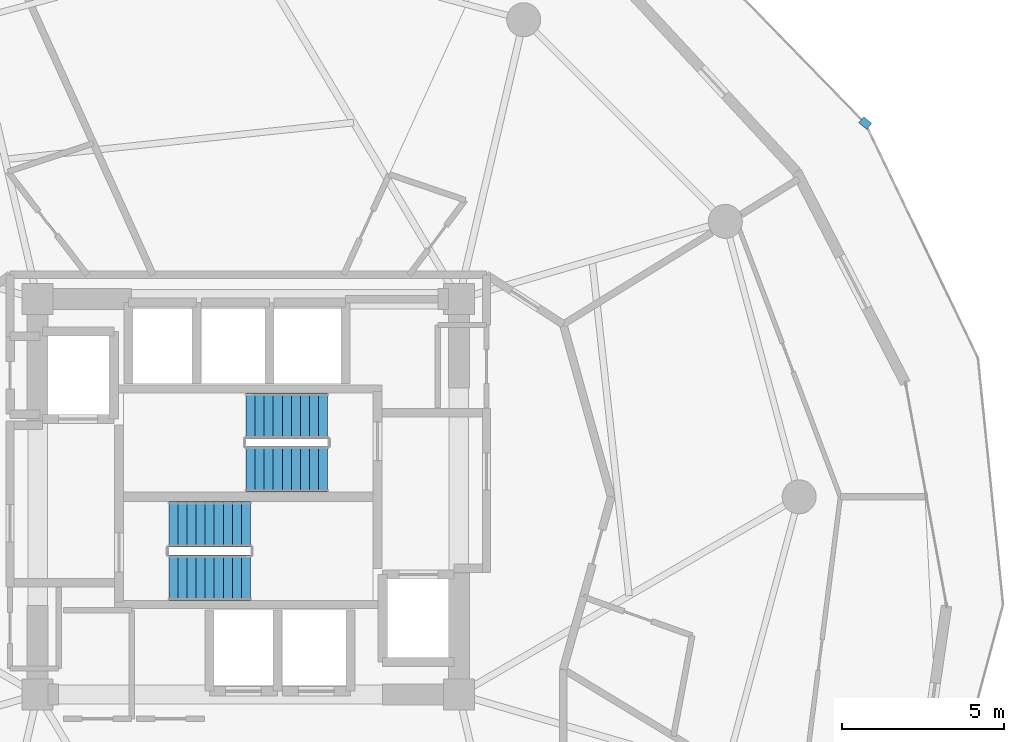
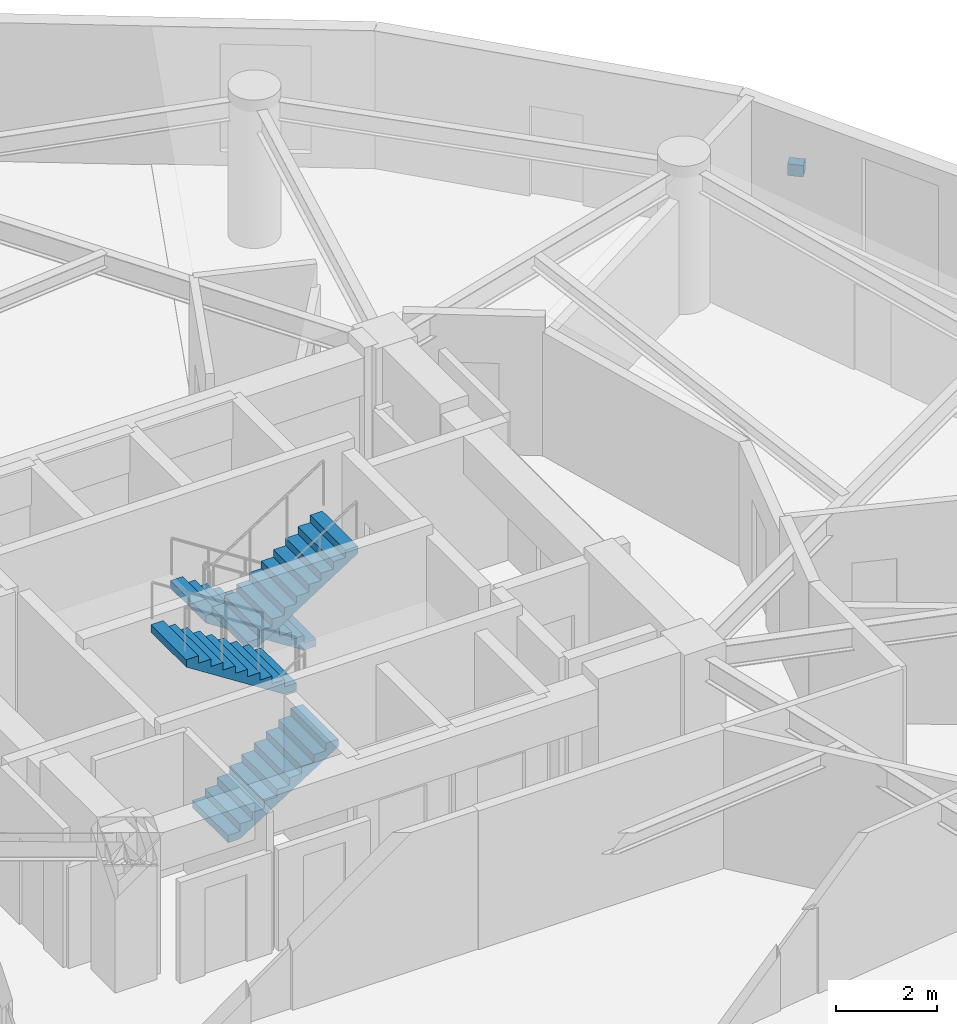
# One storey, part 19 of 21: 4 stair flights, 1 discrete accessory, 2 elements without a shape of their own.
"""IFC4 building model written with IfcOpenShell, lengths in metres."""

import ifcopenshell
import ifcopenshell.guid

model = None  # the IFC model being written
_history = None  # IfcOwnerHistory: only IFC2X3 demands one
_inside = {}  # id of a spatial element -> (the spatial element, [elements in it])
_under = {}  # id of a project, library or spatial element -> (it, [spatial elements below it])
_declared = {}  # id of a project -> (the project, [libraries it declares])
_typed = {}  # id of a type object -> (the type object, [elements of that type])
_made_of = {}  # id of a material, layer set ... -> (it, [elements and type objects made of it])


def new_model(schema):
    """Start an empty IFC model of exactly this schema.

    Asked for "IFC4X3", IfcOpenShell would pick the latest addendum, in which some entities
    have other attributes; the version numbers below select the first issue.
    IFC2X3 requires an IfcOwnerHistory on every rooted entity: one is made here for all.
    """
    global model, _history
    if schema == "IFC4X3":
        model = ifcopenshell.file(schema_version=(4, 3, 0, 0))
    else:
        model = ifcopenshell.file(schema=schema)
    _inside.clear()
    _under.clear()
    _declared.clear()
    _typed.clear()
    _made_of.clear()
    _history = None
    if model.schema == "IFC2X3":
        org = make("IfcOrganization", Name="unknown")
        user = make(
            "IfcPersonAndOrganization",
            ThePerson=make("IfcPerson", FamilyName="unknown"),
            TheOrganization=org,
        )
        app = make(
            "IfcApplication",
            ApplicationDeveloper=org,
            Version="unknown",
            ApplicationFullName="unknown",
            ApplicationIdentifier="unknown",
        )
        _history = make(
            "IfcOwnerHistory",
            OwningUser=user,
            OwningApplication=app,
            ChangeAction="ADDED",
            CreationDate=0,
        )
    return model


def make(cls, **values):
    """One entity of the class cls with the attributes given. An attribute that is None is left unset."""
    return model.create_entity(
        cls, **{name: value for name, value in values.items() if value is not None}
    )


def rooted(cls, **values):
    """An entity with a GlobalId (a new one), such as an element, a storey or a relation."""
    return make(cls, GlobalId=ifcopenshell.guid.new(), OwnerHistory=_history, **values)


def si_unit(unit_type, name, prefix=None):
    """IfcSIUnit, for example si_unit("LENGTHUNIT", "METRE", prefix="MILLI")."""
    return make("IfcSIUnit", UnitType=unit_type, Prefix=prefix, Name=name)


def assignment(units):
    """IfcUnitAssignment: the units of a project."""
    return None if units is None else make("IfcUnitAssignment", Units=units)


def point(xyz):
    """IfcCartesianPoint."""
    return None if xyz is None else make("IfcCartesianPoint", Coordinates=xyz)


def direction(xyz):
    """IfcDirection."""
    return None if xyz is None else make("IfcDirection", DirectionRatios=xyz)


def frame(location, z_axis=None, x_axis=None):
    """IfcAxis2Placement3D, a coordinate frame: its origin and axes. An axis left out is left unset."""
    return make(
        "IfcAxis2Placement3D",
        Location=point(location),
        Axis=direction(z_axis),
        RefDirection=direction(x_axis),
    )


def frame_2d(location, x_axis=None):
    """IfcAxis2Placement2D, a coordinate frame in the plane: its origin and x axis."""
    return make(
        "IfcAxis2Placement2D", Location=point(location), RefDirection=direction(x_axis)
    )


def origin():
    """The frame at (0, 0, 0) with its axes left unset."""
    return frame((0.0, 0.0, 0.0))


def origin_2d():
    """The frame at (0, 0) in the plane with its x axis left unset."""
    return frame_2d((0.0, 0.0))


def place(relative_to, where):
    """IfcLocalPlacement: puts the frame where relative to a parent placement (None: the world)."""
    return make(
        "IfcLocalPlacement", PlacementRelTo=relative_to, RelativePlacement=where
    )


def context(
    kind, dimensions, precision=None, world=None, true_north=None, identifier=None
):
    """IfcGeometricRepresentationContext, for example the 3D "Model" context."""
    return make(
        "IfcGeometricRepresentationContext",
        ContextIdentifier=identifier,
        ContextType=kind,
        CoordinateSpaceDimension=dimensions,
        Precision=precision,
        WorldCoordinateSystem=world,
        TrueNorth=true_north,
    )


def subcontext(parent, identifier, kind, view, scale=None):
    """IfcGeometricRepresentationSubContext, for example "Body" below "Model"."""
    return make(
        "IfcGeometricRepresentationSubContext",
        ContextIdentifier=identifier,
        ContextType=kind,
        ParentContext=parent,
        TargetScale=scale,
        TargetView=view,
    )


def project(units=None, contexts=None):
    """IfcProject with its units and contexts."""
    return rooted(
        "IfcProject",
        Name="project",
        RepresentationContexts=contexts,
        UnitsInContext=assignment(units),
    )


def spatial(cls, under=None, at=None, **own):
    """A site, building, storey or space (cls), placed at a placement, below another one or the project."""
    s = rooted(cls, ObjectPlacement=at, **own)
    if under is not None:
        _under.setdefault(under.id(), (under, []))[1].append(s)
    return s


def polyline(points):
    """IfcPolyline through the points."""
    return make("IfcPolyline", Points=[point(p) for p in points])


def profile(cls, at=None, kind="AREA", **sizes):
    """A parametric profile (cls). Its sizes go by their IFC names, for example OverallWidth=200.0."""
    return make(cls, ProfileType=kind, Position=at, **sizes)


def rectangle(**sizes):
    """IfcRectangleProfileDef."""
    return profile("IfcRectangleProfileDef", **sizes)


def outline(outer, holes=None, kind="AREA"):
    """IfcArbitraryClosedProfileDef: a profile drawn as a closed curve; with holes, ...WithVoids."""
    if holes is None:
        return make("IfcArbitraryClosedProfileDef", ProfileType=kind, OuterCurve=outer)
    return make(
        "IfcArbitraryProfileDefWithVoids",
        ProfileType=kind,
        OuterCurve=outer,
        InnerCurves=holes,
    )


def extrude(swept, where, along, depth):
    """IfcExtrudedAreaSolid: the profile swept, set in the frame where, extruded along a direction by depth."""
    return make(
        "IfcExtrudedAreaSolid",
        SweptArea=swept,
        Position=where,
        ExtrudedDirection=direction(along),
        Depth=depth,
    )


def shape(context_of_items, identifier, shape_type, items):
    """IfcShapeRepresentation: the items that make up one representation, for example the "Body"."""
    return make(
        "IfcShapeRepresentation",
        ContextOfItems=context_of_items,
        RepresentationIdentifier=identifier,
        RepresentationType=shape_type,
        Items=items,
    )


def material(Name=None, Category=None):
    """IfcMaterial."""
    return make("IfcMaterial", Name=Name, Category=Category)


def made_of(thing, what):
    """Note that an element or type object is made of a material, layer set ...; save() writes the relation."""
    if what is not None:
        _made_of.setdefault(what.id(), (what, []))[1].append(thing)
    return thing


def type_object(cls, material=None, **own):
    """A type object (cls), such as IfcWallType, which elements share."""
    return made_of(rooted(cls, **own), material)


def element(
    cls,
    number,
    at=None,
    inside=None,
    cuts=None,
    type_object=None,
    material=None,
    context=None,
    identifier="Body",
    shape_type=None,
    held_by="IfcProductDefinitionShape",
    body=None,
    shapes=None,
    **own,
):
    """One element of the class cls, such as IfcWall. Its Tag is "e" and its number.

    at: its placement. inside: the storey or other place that contains it. cuts: it is an
    opening in that element (IfcRelVoidsElement). A single representation is given by context,
    identifier, shape_type and body (its items); several are given by shapes. held_by: the class
    of the entity that holds the representations. save() writes the other relations.
    """
    e = rooted(cls, Tag="e%d" % number, ObjectPlacement=at, **own)
    if body is not None:
        shapes = [shape(context, identifier, shape_type, body)]
    if shapes is not None:
        e.Representation = make(held_by, Representations=shapes)
    if inside is not None:
        _inside.setdefault(inside.id(), (inside, []))[1].append(e)
    if cuts is not None:
        rooted(
            "IfcRelVoidsElement", RelatingBuildingElement=cuts, RelatedOpeningElement=e
        )
    if type_object is not None:
        _typed.setdefault(type_object.id(), (type_object, []))[1].append(e)
    return made_of(e, material)


def aggregate(whole, parts):
    """IfcRelAggregates: a whole, such as a stair, and the parts it consists of."""
    return rooted("IfcRelAggregates", RelatingObject=whole, RelatedObjects=parts)


def save(model, path):
    """Write the relations noted so far, then the file.

    IfcRelAggregates (storeys below a building ...), IfcRelContainedInSpatialStructure (elements
    in a storey), IfcRelDefinesByType, IfcRelAssociatesMaterial and IfcRelDeclares: one each for
    every whole, place, type object, material and project.
    """
    for whole, parts in _under.values():
        aggregate(whole, parts)
    for where, things in _inside.values():
        rooted(
            "IfcRelContainedInSpatialStructure",
            RelatedElements=things,
            RelatingStructure=where,
        )
    for kind, things in _typed.values():
        rooted("IfcRelDefinesByType", RelatedObjects=things, RelatingType=kind)
    for what, things in _made_of.values():
        rooted("IfcRelAssociatesMaterial", RelatedObjects=things, RelatingMaterial=what)
    for by, libraries in _declared.values():
        rooted("IfcRelDeclares", RelatingContext=by, RelatedDefinitions=libraries)
    model.write(path)


model = new_model("IFC4")

# Units and contexts
model_context = context("Model", 3, precision=1e-05, world=origin(), true_north=direction((0.0, 1.0)))
body_context = subcontext(model_context, "Body", "Model", "MODEL_VIEW")
ifc_project = project(units=[si_unit("LENGTHUNIT", "METRE"), si_unit("AREAUNIT", "SQUARE_METRE"), si_unit("VOLUMEUNIT", "CUBIC_METRE"), si_unit("PLANEANGLEUNIT", "RADIAN"), si_unit("MASSUNIT", "GRAM", prefix="KILO")], contexts=[model_context])

# Site, building, storey
site_placement = place(None, origin())
site = spatial("IfcSite", under=ifc_project, at=site_placement, CompositionType="ELEMENT")
building_placement = place(site_placement, origin())
building = spatial("IfcBuilding", under=site, at=building_placement, Name="Solvirekh Grand Hotel", CompositionType="ELEMENT")
storey_placement = place(building_placement, frame((0.0, 0.0, 131.39990234375)))
storey = spatial("IfcBuildingStorey", under=building, at=storey_placement, Name="L33", CompositionType="ELEMENT", Elevation=131.39990234375)

# Stair, stair flights
ifc_material_1 = material(Name="Concrete C40/50", Category="concrete")
stair_type = type_object("IfcStairType", Name="Stair_Core_1450", PredefinedType="HALF_TURN_STAIR", material=ifc_material_1)
stair_1_placement = place(storey_placement, origin())
stair_1 = element("IfcStair", 1, at=stair_1_placement, inside=storey, type_object=stair_type, Name="L33 Enclosed exit stair ST-1", PredefinedType="HALF_TURN_STAIR")
stair_flight_type = type_object("IfcStairFlightType", Name="Flight_Core_1450", PredefinedType="STRAIGHT", material=ifc_material_1)
stair_flight_1_placement = place(storey_placement, frame((-2.449951171875, -2.5, 0.0), z_axis=(0.0, 0.0, 1.0), x_axis=(1.0, 0.0, 0.0)))
stair_flight_1 = element("IfcStairFlight", 2, at=stair_flight_1_placement, type_object=stair_flight_type, Name="ST-1 flight 1", NumberOfRisers=10, NumberOfTreads=9, PredefinedType="STRAIGHT", RiserHeight=0.18, TreadLength=0.28, context=body_context, shape_type="SweptSolid", body=[
    extrude(outline(polyline([(0.0, 0.0), (0.0, 0.179931640625), (0.280029296875, 0.179931640625), (0.280029296875, 0.360107421875), (0.56005859375, 0.360107421875), (0.56005859375, 0.5400390625), (0.840087890625, 0.5400390625), (0.840087890625, 0.719970703125), (1.1201171875, 0.719970703125), (1.1201171875, 0.89990234375), (1.39990234375, 0.89990234375), (1.39990234375, 1.080078125), (1.679931640625, 1.080078125), (1.679931640625, 1.260009765625), (1.9599609375, 1.260009765625), (1.9599609375, 1.43994140625), (2.239990234375, 1.43994140625), (2.239990234375, 1.6201171875), (2.52001953125, 1.6201171875), (2.52001953125, 1.800048828125), (2.52001953125, 1.44189453125), (0.277099609375, 0.0), (0.0, 0.0)])), frame((0.0, 0.699951171875, 0.0), z_axis=(0.0, -1.0, 0.0), x_axis=(1.0, 0.0, 0.0)), (0.0, 0.0, 1.0), 1.39990234375),
])
stair_flight_2_placement = place(storey_placement, frame((0.070068359375, -0.85009765625, 1.800048828125), z_axis=(0.0, 0.0, 1.0), x_axis=(-1.0, 0.0, 0.0)))
stair_flight_2 = element("IfcStairFlight", 3, at=stair_flight_2_placement, type_object=stair_flight_type, Name="ST-1 flight 2", NumberOfRisers=10, NumberOfTreads=9, PredefinedType="STRAIGHT", RiserHeight=0.18, TreadLength=0.28, context=body_context, shape_type="SweptSolid", body=[
    extrude(outline(polyline([(0.0, 0.0), (0.0, 0.179931640625), (0.280029296875, 0.179931640625), (0.280029296875, 0.360107421875), (0.56005859375, 0.360107421875), (0.56005859375, 0.5400390625), (0.840087890625, 0.5400390625), (0.840087890625, 0.719970703125), (1.1201171875, 0.719970703125), (1.1201171875, 0.89990234375), (1.39990234375, 0.89990234375), (1.39990234375, 1.080078125), (1.679931640625, 1.080078125), (1.679931640625, 1.260009765625), (1.9599609375, 1.260009765625), (1.9599609375, 1.43994140625), (2.239990234375, 1.43994140625), (2.239990234375, 1.6201171875), (2.52001953125, 1.6201171875), (2.52001953125, 1.800048828125), (2.52001953125, 1.44189453125), (0.277099609375, 0.0), (0.0, 0.0)])), frame((0.0, 0.699951171875, 0.0), z_axis=(0.0, -1.0, 0.0), x_axis=(1.0, 0.0, 0.0)), (0.0, 0.0, 1.0), 1.39990234375),
])
aggregate(stair_1, [stair_flight_1, stair_flight_2])

stair_2_placement = place(storey_placement, origin())
stair_2 = element("IfcStair", 4, at=stair_2_placement, inside=storey, type_object=stair_type, Name="L33 Enclosed exit stair ST-2", PredefinedType="HALF_TURN_STAIR")
stair_flight_3_placement = place(storey_placement, frame((2.449951171875, 2.5, 0.0), z_axis=(0.0, 0.0, 1.0), x_axis=(-1.0, 0.0, 0.0)))
stair_flight_3 = element("IfcStairFlight", 5, at=stair_flight_3_placement, type_object=stair_flight_type, Name="ST-2 flight 1", NumberOfRisers=10, NumberOfTreads=9, PredefinedType="STRAIGHT", RiserHeight=0.18, TreadLength=0.28, context=body_context, shape_type="SweptSolid", body=[
    extrude(outline(polyline([(0.0, 0.0), (0.0, 0.179931640625), (0.280029296875, 0.179931640625), (0.280029296875, 0.360107421875), (0.56005859375, 0.360107421875), (0.56005859375, 0.5400390625), (0.840087890625, 0.5400390625), (0.840087890625, 0.719970703125), (1.1201171875, 0.719970703125), (1.1201171875, 0.89990234375), (1.39990234375, 0.89990234375), (1.39990234375, 1.080078125), (1.679931640625, 1.080078125), (1.679931640625, 1.260009765625), (1.9599609375, 1.260009765625), (1.9599609375, 1.43994140625), (2.239990234375, 1.43994140625), (2.239990234375, 1.6201171875), (2.52001953125, 1.6201171875), (2.52001953125, 1.800048828125), (2.52001953125, 1.44189453125), (0.277099609375, 0.0), (0.0, 0.0)])), frame((0.0, 0.699951171875, 0.0), z_axis=(0.0, -1.0, 0.0), x_axis=(1.0, 0.0, 0.0)), (0.0, 0.0, 1.0), 1.39990234375),
])
stair_flight_4_placement = place(storey_placement, frame((-0.070068359375, 0.85009765625, 1.800048828125), z_axis=(0.0, 0.0, 1.0), x_axis=(1.0, 0.0, 0.0)))
stair_flight_4 = element("IfcStairFlight", 6, at=stair_flight_4_placement, type_object=stair_flight_type, Name="ST-2 flight 2", NumberOfRisers=10, NumberOfTreads=9, PredefinedType="STRAIGHT", RiserHeight=0.18, TreadLength=0.28, context=body_context, shape_type="SweptSolid", body=[
    extrude(outline(polyline([(0.0, 0.0), (0.0, 0.179931640625), (0.280029296875, 0.179931640625), (0.280029296875, 0.360107421875), (0.56005859375, 0.360107421875), (0.56005859375, 0.5400390625), (0.840087890625, 0.5400390625), (0.840087890625, 0.719970703125), (1.1201171875, 0.719970703125), (1.1201171875, 0.89990234375), (1.39990234375, 0.89990234375), (1.39990234375, 1.080078125), (1.679931640625, 1.080078125), (1.679931640625, 1.260009765625), (1.9599609375, 1.260009765625), (1.9599609375, 1.43994140625), (2.239990234375, 1.43994140625), (2.239990234375, 1.6201171875), (2.52001953125, 1.6201171875), (2.52001953125, 1.800048828125), (2.52001953125, 1.44189453125), (0.277099609375, 0.0), (0.0, 0.0)])), frame((0.0, 0.699951171875, 0.0), z_axis=(0.0, -1.0, 0.0), x_axis=(1.0, 0.0, 0.0)), (0.0, 0.0, 1.0), 1.39990234375),
])
aggregate(stair_2, [stair_flight_3, stair_flight_4])

# Discrete accessory
ifc_material_2 = material(Name="Steel S355", Category="steel")
discrete_accessory_type = type_object("IfcDiscreteAccessoryType", Name="Acc_ThermalBracket", PredefinedType="BRACKET", material=ifc_material_2)
discrete_accessory_placement = place(storey_placement, frame((19.0400390625, 11.533935546875, -0.27978515625), z_axis=(0.0, 0.0, 1.0), x_axis=(0.769399555047, -0.638767817516, 0.0)))
element("IfcDiscreteAccessory", 7, at=discrete_accessory_placement, inside=storey, type_object=discrete_accessory_type, Name="L33 balcony thermal-break bracket", PredefinedType="BRACKET", context=body_context, shape_type="SweptSolid", body=[
    extrude(rectangle(XDim=0.320068359375, YDim=0.239990234375, at=origin_2d()), origin(), (0.0, 0.0, 1.0), 0.280029296875),
])

save(model, "model.ifc")
